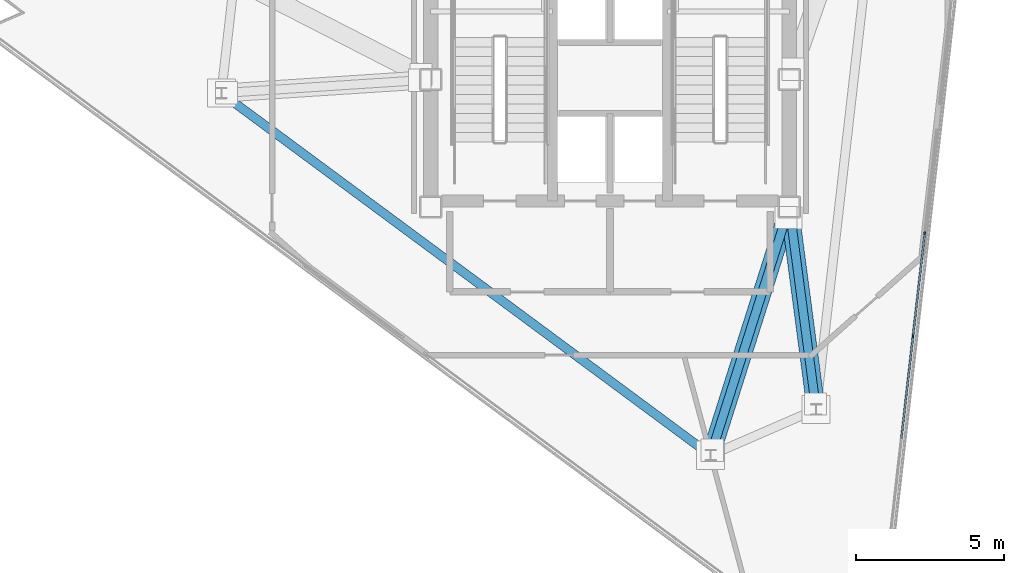
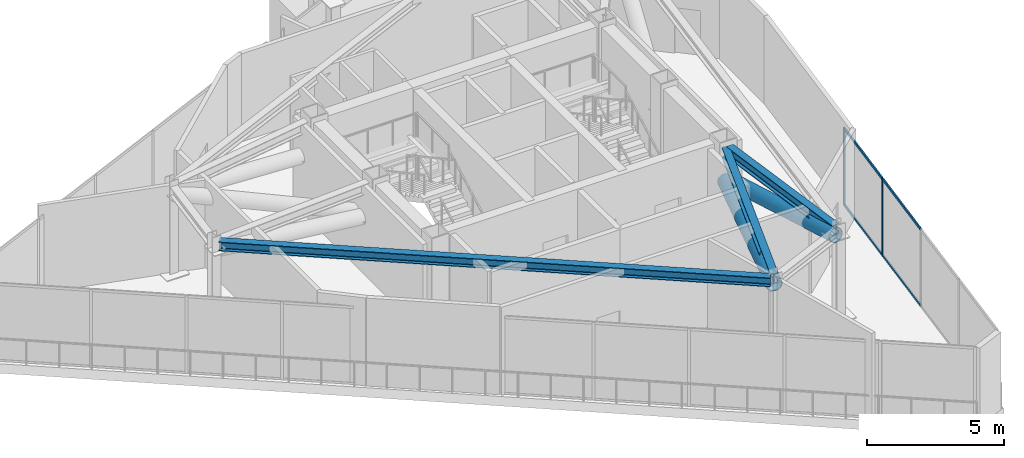
# One storey, part 3 of 11: 8 members, 3 beams, 1 element without a shape of its own.
"""IFC4 building model written with IfcOpenShell, lengths in metres."""

from ifc_helpers import new_model, si_unit, direction, frame, origin, origin_2d, place, context, subcontext, project, spatial, rectangle, hollow_circle, i_section, extrude, material, layer, layer_set, material_profile, profile_set, type_object, element, aggregate, save


model = new_model("IFC4")

# Units and contexts
model_context = context("Model", 3, precision=1e-05, world=origin(), true_north=direction((0.0, 1.0)))
body_context = subcontext(model_context, "Body", "Model", "MODEL_VIEW")
ifc_project = project(units=[si_unit("LENGTHUNIT", "METRE"), si_unit("AREAUNIT", "SQUARE_METRE"), si_unit("VOLUMEUNIT", "CUBIC_METRE"), si_unit("PLANEANGLEUNIT", "RADIAN"), si_unit("MASSUNIT", "GRAM", prefix="KILO")], contexts=[model_context])

# Site, building, storey
site_placement = place(None, origin())
site = spatial("IfcSite", under=ifc_project, at=site_placement, CompositionType="ELEMENT")
building_placement = place(site_placement, origin())
building = spatial("IfcBuilding", under=site, at=building_placement, Name="Rocaltana Carrier Exchange", CompositionType="ELEMENT")
storey_placement = place(building_placement, frame((0.0, 0.0, 239.199951171875)))
storey = spatial("IfcBuildingStorey", under=building, at=storey_placement, Name="L76", CompositionType="ELEMENT", Elevation=239.199951171875)

# Curtain wall, members
ifc_material_1 = material(Name="Aluminium 6063-T6", Category="aluminium")
ifc_layer = layer(ifc_material_1, 0.110107421875)
ifc_layer_set = layer_set([ifc_layer], Name="Aluminium 6063-T6")
curtain_wall_type = type_object("IfcCurtainWallType", Name="Crown Lantern Faceted Curtain Wall CW-06", PredefinedType="NOTDEFINED", material=ifc_layer_set)
curtain_wall_placement = place(storey_placement, origin())
curtain_wall = element("IfcCurtainWall", 1, at=curtain_wall_placement, inside=storey, type_object=curtain_wall_type, Name="L76 CW-06 Run CW06-L76-F1S1", PredefinedType="NOTDEFINED")
ifc_material_2 = material(Name="Aluminium 6063-T6", Category="aluminium")
ifc_material_profile_1 = material_profile(ifc_material_2, rectangle(XDim=0.054931640625, YDim=0.110107421875, at=origin_2d()), Name="AL-55X110")
ifc_profile_set_1 = profile_set([ifc_material_profile_1], Name="Aluminium 6063-T6")
member_type_1 = type_object("IfcMemberType", Name="CW-06 Mullion AL-55X110", PredefinedType="MULLION", material=ifc_profile_set_1)
member_1_placement = place(storey_placement, frame((10.22119140625, -8.662841796875, 0.0), z_axis=(0.0, 0.0, 1.0), x_axis=(-0.993572284893, 0.113199446517, 0.0)))
member_1 = element("IfcMember", 2, at=member_1_placement, type_object=member_type_1, Name="CW-06 mullion 4", PredefinedType="MULLION", context=body_context, shape_type="SweptSolid", body=[
    extrude(rectangle(XDim=0.054931640625, YDim=0.110107421875, at=origin_2d()), origin(), (0.0, 0.0, 1.0), 3.447998046875),
])
member_2_placement = place(storey_placement, frame((10.6171875, -5.185302734375, 0.0), z_axis=(0.0, 0.0, 1.0), x_axis=(-0.993572284893, 0.113199446517, 0.0)))
member_2 = element("IfcMember", 3, at=member_2_placement, type_object=member_type_1, Name="CW-06 mullion 5", PredefinedType="MULLION", context=body_context, shape_type="SweptSolid", body=[
    extrude(rectangle(XDim=0.054931640625, YDim=0.110107421875, at=origin_2d()), origin(), (0.0, 0.0, 1.0), 3.447998046875),
])
ifc_material_3 = material(Name="Aluminium 6063-T6", Category="aluminium")
ifc_material_profile_2 = material_profile(ifc_material_3, rectangle(XDim=0.054931640625, YDim=0.110107421875, at=origin_2d()), Name="AL-55X110")
ifc_profile_set_2 = profile_set([ifc_material_profile_2], Name="Aluminium 6063-T6")
member_type_2 = type_object("IfcMemberType", Name="CW-06 Transom AL-55X110", PredefinedType="USERDEFINED", material=ifc_profile_set_2)
member_3_placement = place(storey_placement, frame((9.828125, -12.113037109375, 0.027587890625), z_axis=(0.11316885418, 0.993575769855, 0.0), x_axis=(-0.993575769855, 0.11316885418, 0.0)))
member_3 = element("IfcMember", 4, at=member_3_placement, type_object=member_type_2, Name="CW-06 transom 3.1", ObjectType="TRANSOM", PredefinedType="USERDEFINED", context=body_context, shape_type="SweptSolid", body=[
    extrude(rectangle(XDim=0.054931640625, YDim=0.110107421875, at=origin_2d()), origin(), (0.0, 0.0, 1.0), 3.4453125),
])
member_4_placement = place(storey_placement, frame((9.828125, -12.113037109375, 3.420654296875), z_axis=(0.11316885418, 0.993575769855, 0.0), x_axis=(-0.993575769855, 0.11316885418, 0.0)))
member_4 = element("IfcMember", 5, at=member_4_placement, type_object=member_type_2, Name="CW-06 transom 3.2", ObjectType="TRANSOM", PredefinedType="USERDEFINED", context=body_context, shape_type="SweptSolid", body=[
    extrude(rectangle(XDim=0.054931640625, YDim=0.110107421875, at=origin_2d()), origin(), (0.0, 0.0, 1.0), 3.4453125),
])
member_5_placement = place(storey_placement, frame((10.22412109375, -8.635498046875, 0.027587890625), z_axis=(0.113246782546, 0.993566890674, 0.0), x_axis=(-0.993566890674, 0.113246782546, 0.0)))
member_5 = element("IfcMember", 6, at=member_5_placement, type_object=member_type_2, Name="CW-06 transom 4.1", ObjectType="TRANSOM", PredefinedType="USERDEFINED", context=body_context, shape_type="SweptSolid", body=[
    extrude(rectangle(XDim=0.054931640625, YDim=0.110107421875, at=origin_2d()), origin(), (0.0, 0.0, 1.0), 3.445068359375),
])
member_6_placement = place(storey_placement, frame((10.22412109375, -8.635498046875, 3.420654296875), z_axis=(0.113246782546, 0.993566890674, 0.0), x_axis=(-0.993566890674, 0.113246782546, 0.0)))
member_6 = element("IfcMember", 7, at=member_6_placement, type_object=member_type_2, Name="CW-06 transom 4.2", ObjectType="TRANSOM", PredefinedType="USERDEFINED", context=body_context, shape_type="SweptSolid", body=[
    extrude(rectangle(XDim=0.054931640625, YDim=0.110107421875, at=origin_2d()), origin(), (0.0, 0.0, 1.0), 3.445068359375),
])
aggregate(curtain_wall, [member_1, member_2, member_3, member_4, member_5, member_6])

# Beams
ifc_material_4 = material(Name="Steel S460", Category="steel")
ifc_material_profile_3 = material_profile(ifc_material_4, i_section(OverallWidth=0.300048828125, OverallDepth=0.449951171875, WebThickness=0.013916015625, FlangeThickness=0.02587890625, FilletRadius=0.027099609375, at=origin_2d()), Name="HEB450")
ifc_profile_set_3 = profile_set([ifc_material_profile_3], Name="Steel S460")
beam_type_1 = type_object("IfcBeamType", Name="Crown Frame Rafter HEB450", PredefinedType="BEAM", material=ifc_profile_set_3)
beam_1_placement = place(storey_placement, frame((6.09814453125, -4.663818359375, 3.703125), z_axis=(0.131168123834, -0.991360138038, 0.0), x_axis=(0.991360138038, 0.131168123834, 0.0)))
element("IfcBeam", 8, at=beam_1_placement, inside=storey, type_object=beam_type_1, Name="CRG-RAD-L76-01", PredefinedType="BEAM", context=body_context, shape_type="SweptSolid", body=[
    extrude(i_section(OverallWidth=0.300048828125, OverallDepth=0.449951171875, WebThickness=0.013916015625, FlangeThickness=0.02587890625, FilletRadius=0.027099609375, at=origin_2d()), origin(), (0.0, 0.0, 1.0), 6.34521484375),
])
beam_2_placement = place(storey_placement, frame((5.939208984375, -4.64990234375, 3.703125), z_axis=(-0.302216948714, -0.953239170361, 0.0), x_axis=(0.953239170361, -0.302216948714, 0.0)))
element("IfcBeam", 9, at=beam_2_placement, inside=storey, type_object=beam_type_1, Name="CRG-RAD-L76-06", PredefinedType="BEAM", context=body_context, shape_type="SweptSolid", body=[
    extrude(i_section(OverallWidth=0.300048828125, OverallDepth=0.449951171875, WebThickness=0.013916015625, FlangeThickness=0.02587890625, FilletRadius=0.027099609375, at=origin_2d()), origin(), (0.0, 0.0, 1.0), 8.2431640625),
])
ifc_material_5 = material(Name="Steel S460", Category="steel")
ifc_material_profile_4 = material_profile(ifc_material_5, i_section(OverallWidth=0.300048828125, OverallDepth=0.39990234375, WebThickness=0.013427734375, FlangeThickness=0.02392578125, FilletRadius=0.027099609375, at=origin_2d()), Name="HEB400")
ifc_profile_set_4 = profile_set([ifc_material_profile_4], Name="Steel S460")
beam_type_2 = type_object("IfcBeamType", Name="Crown Ring Beam HEB400", PredefinedType="BEAM", material=ifc_profile_set_4)
beam_3_placement = place(storey_placement, frame((-12.97265625, -0.561767578125, 3.72802734375), z_axis=(0.803856586634, -0.594823157018, 0.0), x_axis=(0.594823157018, 0.803856586634, 0.0)))
element("IfcBeam", 10, at=beam_3_placement, inside=storey, type_object=beam_type_2, Name="CRG-RING-L76-05", PredefinedType="BEAM", context=body_context, shape_type="SweptSolid", body=[
    extrude(i_section(OverallWidth=0.300048828125, OverallDepth=0.39990234375, WebThickness=0.013427734375, FlangeThickness=0.02392578125, FilletRadius=0.027099609375, at=origin_2d()), origin(), (0.0, 0.0, 1.0), 20.18798828125),
])

# Members
ifc_material_6 = material(Name="Steel S460", Category="steel")
ifc_material_profile_5 = material_profile(ifc_material_6, hollow_circle(Radius=0.304931640625, WallThickness=0.02490234375, at=origin_2d()), Name="CHS610X25")
ifc_profile_set_5 = profile_set([ifc_material_profile_5], Name="Steel S460")
member_type_3 = type_object("IfcMemberType", Name="Outrigger Diagonal CHS610", PredefinedType="BRACE", material=ifc_profile_set_5)
member_7_placement = place(storey_placement, frame((6.0986328125, -4.667724609375, 2.400146484375), z_axis=(0.129316002519, -0.977581872159, 0.166165744718), x_axis=(0.991363975158, 0.131139119863, 0.0)))
element("IfcMember", 11, at=member_7_placement, inside=storey, type_object=member_type_3, Name="L76 Hat Truss Diagonal 1", PredefinedType="BRACE", context=body_context, shape_type="SweptSolid", body=[
    extrude(hollow_circle(Radius=0.304931640625, WallThickness=0.02490234375, at=origin_2d()), origin(), (0.0, 0.0, 1.0), 6.426513671875),
])
member_8_placement = place(storey_placement, frame((5.93798828125, -4.65380859375, 2.400146484375), z_axis=(-0.29970309837, -0.945326017755, 0.128595384763), x_axis=(0.953240636726, -0.30221232353, 0.0)))
element("IfcMember", 12, at=member_8_placement, inside=storey, type_object=member_type_3, Name="L76 Hat Truss Diagonal 3", PredefinedType="BRACE", context=body_context, shape_type="SweptSolid", body=[
    extrude(hollow_circle(Radius=0.304931640625, WallThickness=0.02490234375, at=origin_2d()), origin(), (0.0, 0.0, 1.0), 8.30419921875),
])

save(model, "model.ifc")
